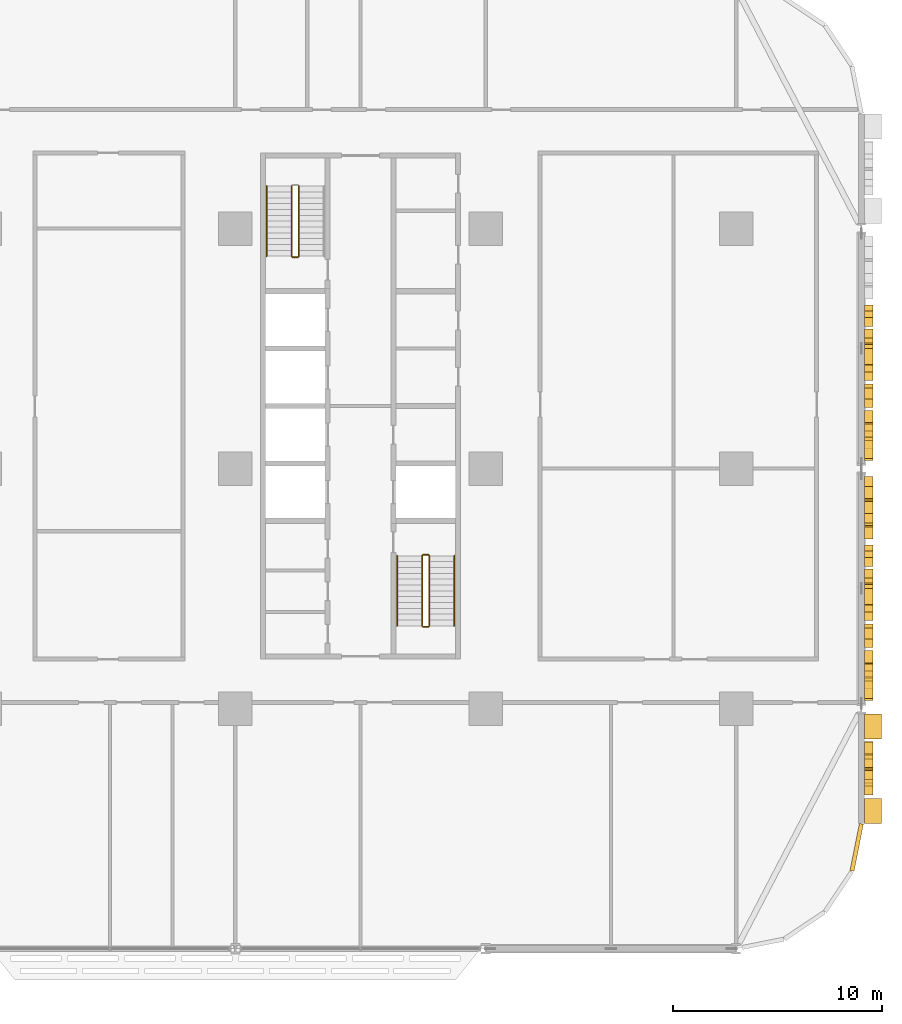
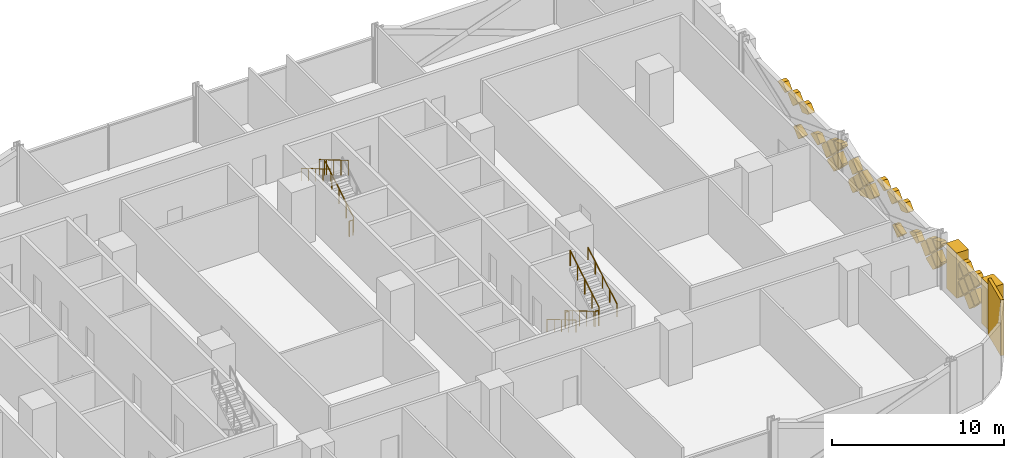
# One storey, part 27 of 29: 37 coverings, 10 railings.
"""IFC4 building model written with IfcOpenShell, lengths in metres."""

from ifc_helpers import new_model, si_unit, direction, frame, origin, origin_2d, place, context, subcontext, project, spatial, polyline, rectangle, circle, outline, extrude, material, layer, layer_set, type_object, element, save


model = new_model("IFC4")

# Units and contexts
model_context = context("Model", 3, precision=1e-05, world=origin(), true_north=direction((0.0, 1.0)))
body_context = subcontext(model_context, "Body", "Model", "MODEL_VIEW")
ifc_project = project(units=[si_unit("LENGTHUNIT", "METRE"), si_unit("AREAUNIT", "SQUARE_METRE"), si_unit("VOLUMEUNIT", "CUBIC_METRE"), si_unit("PLANEANGLEUNIT", "RADIAN"), si_unit("MASSUNIT", "GRAM", prefix="KILO")], contexts=[model_context])

# Site, building, storey
site_placement = place(None, origin())
site = spatial("IfcSite", under=ifc_project, at=site_placement, CompositionType="ELEMENT")
building_placement = place(site_placement, origin())
building = spatial("IfcBuilding", under=site, at=building_placement, Name="Mahtab Terrace Research Tower", CompositionType="ELEMENT")
storey_placement = place(building_placement, frame((0.0, 0.0, 20.10009765625)))
storey = spatial("IfcBuildingStorey", under=building, at=storey_placement, Name="L04", CompositionType="ELEMENT", Elevation=20.10009765625)

# Coverings
ifc_material_1 = material(Name="Black aluminium cladding panel", Category="aluminium")
ifc_layer_1 = layer(ifc_material_1, 0.199951171875)
ifc_layer_set_1 = layer_set([ifc_layer_1], Name="Black metal corner cladding 200")
covering_type_1 = type_object("IfcCoveringType", Name="Black metal corner cladding 200", PredefinedType="CLADDING", material=ifc_layer_set_1)
covering_1_placement = place(storey_placement, frame((47.771484375, -18.14794921875, 0.0), z_axis=(0.0, 0.0, 1.0), x_axis=(0.195212442692, 0.980760981187, 0.0)))
element("IfcCovering", 1, at=covering_1_placement, inside=storey, type_object=covering_type_1, Name="Corner cladding L04 32", PredefinedType="CLADDING", context=body_context, shape_type="SweptSolid", body=[
    extrude(rectangle(XDim=2.30126953125, YDim=0.199951171875, at=origin_2d()), origin(), (0.0, 0.0, 1.0), 3.9599609375),
])
ifc_material_2 = material(Name="Bronze anodised aluminium", Category="aluminium")
ifc_layer_2 = layer(ifc_material_2, 0.39990234375)
ifc_layer_set_2 = layer_set([ifc_layer_2], Name="Mashrabiya relief panel 400")
covering_type_2 = type_object("IfcCoveringType", Name="Mashrabiya relief panel 400", PredefinedType="CLADDING", material=ifc_layer_set_2)
covering_2_placement = place(storey_placement, frame((48.14990234375, -15.050048828125, 1.929931640625), z_axis=(-1.0, 0.0, 0.0), x_axis=(0.0, 0.707106781187, -0.707106781187)))
element("IfcCovering", 2, at=covering_2_placement, inside=storey, type_object=covering_type_2, Name="Mashrabiya lattice cell L04 E33.1", PredefinedType="CLADDING", context=body_context, shape_type="SweptSolid", body=[
    extrude(outline(polyline([(0.0, 0.0), (0.8203543516109556, 0.0), (0.820181718119455, 0.820181718119455), (0.0001726334915006511, 0.820181718119455), (0.0, 0.0)])), origin(), (0.0, 0.0, -1.0), 0.39990234375),
])
covering_3_placement = place(storey_placement, frame((48.14990234375, -14.469970703125, 2.64990234375), z_axis=(-1.0, 0.0, 0.0), x_axis=(0.0, -0.707106781187, -0.707106781187)))
element("IfcCovering", 3, at=covering_3_placement, inside=storey, type_object=covering_type_2, Name="Mashrabiya lattice cell L04 E33.2", PredefinedType="CLADDING", context=body_context, shape_type="SweptSolid", body=[
    extrude(outline(polyline([(0.0, 0.0), (0.8203543516109556, 0.0), (0.820181718119455, 0.820181718119455), (0.22908464322132532, 0.8201817181194548), (0.0, 0.5910970748981296), (0.0, 0.0)])), origin(), (0.0, 0.0, -1.0), 0.39990234375),
])
covering_4_placement = place(storey_placement, frame((48.14990234375, -14.97998046875, 0.699951171875), z_axis=(-1.0, 0.0, 0.0), x_axis=(0.0, 0.707255598772, 0.706957932274)))
element("IfcCovering", 4, at=covering_4_placement, inside=storey, type_object=covering_type_2, Name="Mashrabiya lattice cell L04 E33.3", PredefinedType="CLADDING", context=body_context, shape_type="SweptSolid", body=[
    extrude(outline(polyline([(0.0, 0.0), (0.8201817362875763, 0.0), (0.8203543334390104, 0.8200090664636573), (0.02140655247189338, 0.8201772305935178), (0.0001681641298604819, 0.798947780967117), (0.0, 0.0)])), origin(), (0.0, 0.0, -1.0), 0.39990234375),
])
covering_5_placement = place(storey_placement, frame((48.14990234375, -14.39990234375, 2.579833984375), z_axis=(-1.0, 0.0, 0.0), x_axis=(0.0, 0.707106781187, -0.707106781187)))
element("IfcCovering", 5, at=covering_5_placement, inside=storey, type_object=covering_type_2, Name="Mashrabiya lattice cell L04 E33.4", PredefinedType="CLADDING", context=body_context, shape_type="SweptSolid", body=[
    extrude(outline(polyline([(0.0, 0.0), (0.8200090846279543, 0.0), (0.820181718119455, 0.820181718119455), (-0.0001726334915006511, 0.820181718119455), (0.0, 0.0)])), origin(), (0.0, 0.0, -1.0), 0.39990234375),
])
covering_6_placement = place(storey_placement, frame((48.14990234375, -13.75, 1.929931640625), z_axis=(-1.0, 0.0, 0.0), x_axis=(0.0, 0.707106781187, -0.707106781187)))
element("IfcCovering", 6, at=covering_6_placement, inside=storey, type_object=covering_type_2, Name="Mashrabiya lattice cell L04 E33.5", PredefinedType="CLADDING", context=body_context, shape_type="SweptSolid", body=[
    extrude(outline(polyline([(0.0, 0.0), (0.8203543516109556, 0.0), (0.820181718119455, 0.820181718119455), (0.0, 0.8203543516109556), (0.0, 0.0)])), origin(), (0.0, 0.0, -1.0), 0.39990234375),
])
covering_7_placement = place(storey_placement, frame((48.14990234375, -13.169921875, 2.64990234375), z_axis=(-1.0, 0.0, 0.0), x_axis=(0.0, -0.707106781187, -0.707106781187)))
element("IfcCovering", 7, at=covering_7_placement, inside=storey, type_object=covering_type_2, Name="Mashrabiya lattice cell L04 E33.6", PredefinedType="CLADDING", context=body_context, shape_type="SweptSolid", body=[
    extrude(outline(polyline([(0.0, 0.0), (0.8203543516109556, 0.0), (0.8203543516109556, 0.8203543516109556), (0.22925727671282597, 0.8203543516109555), (0.0, 0.5910970748981296), (0.0, 0.0)])), origin(), (0.0, 0.0, -1.0), 0.39990234375),
])
covering_8_placement = place(storey_placement, frame((48.14990234375, -13.679931640625, 0.699951171875), z_axis=(-1.0, 0.0, 0.0), x_axis=(0.0, 0.707106781187, 0.707106781187)))
element("IfcCovering", 8, at=covering_8_placement, inside=storey, type_object=covering_type_2, Name="Mashrabiya lattice cell L04 E33.7", PredefinedType="CLADDING", context=body_context, shape_type="SweptSolid", body=[
    extrude(outline(polyline([(0.0, 0.0), (0.8200090846279543, 0.0), (0.820181718119455, 0.02261498738658152), (0.021233919454576533, 0.820181718119455), (0.0, 0.7989477986648784), (0.0, 0.0)])), origin(), (0.0, 0.0, -1.0), 0.39990234375),
])
covering_9_placement = place(storey_placement, frame((48.14990234375, -13.10009765625, 1.419921875), z_axis=(-1.0, 0.0, 0.0), x_axis=(0.0, -0.706957932274, 0.707255598772)))
element("IfcCovering", 9, at=covering_9_placement, inside=storey, type_object=covering_type_2, Name="Mashrabiya lattice cell L04 E33.8", PredefinedType="CLADDING", context=body_context, shape_type="SweptSolid", body=[
    extrude(outline(polyline([(0.0, 0.0), (0.8201817362875763, 0.0), (0.8203543334390104, 0.8200090664636573), (0.7977393828896235, 0.8201864599990892), (-0.00016787343992121818, 0.022615023221871693), (0.0, 0.0)])), origin(), (0.0, 0.0, -1.0), 0.39990234375),
])
covering_10_placement = place(storey_placement, frame((48.14990234375, -10.60107421875, 1.929931640625), z_axis=(-1.0, 0.0, 0.0), x_axis=(0.0, 0.707106781187, -0.707106781187)))
element("IfcCovering", 10, at=covering_10_placement, inside=storey, type_object=covering_type_2, Name="Mashrabiya lattice cell L04 E34.1", PredefinedType="CLADDING", context=body_context, shape_type="SweptSolid", body=[
    extrude(outline(polyline([(0.0, 0.0), (0.8203543516109556, 0.0), (0.820181718119455, 0.820181718119455), (0.0920136509698315, 0.820181718119455), (0.0001726334915005956, 0.728340700641124), (0.0, 0.0)])), origin(), (0.0, 0.0, -1.0), 0.39990234375),
])
covering_11_placement = place(storey_placement, frame((48.14990234375, -10.60107421875, 2.06982421875), z_axis=(-1.0, 0.0, 0.0), x_axis=(0.0, -0.706939160764, 0.707274361884)))
element("IfcCovering", 11, at=covering_11_placement, inside=storey, type_object=covering_type_2, Name="Mashrabiya lattice cell L04 E34.2", PredefinedType="CLADDING", context=body_context, shape_type="SweptSolid", body=[
    extrude(outline(polyline([(0.0, 0.0), (0.728340721100177, 5.551115123125783e-17), (0.8202035044307674, 0.09181924646645268), (0.8204123504406912, 0.24459984123479744), (0.00014648681730550228, 0.618027882211855), (0.0, 0.0)])), origin(), (0.0, 0.0, -1.0), 0.39990234375),
])
covering_12_placement = place(storey_placement, frame((48.14990234375, -10.531005859375, 0.699951171875), z_axis=(-1.0, 0.0, 0.0), x_axis=(0.0, 0.707255598772, 0.706957932274)))
element("IfcCovering", 12, at=covering_12_placement, inside=storey, type_object=covering_type_2, Name="Mashrabiya lattice cell L04 E34.3", PredefinedType="CLADDING", context=body_context, shape_type="SweptSolid", body=[
    extrude(outline(polyline([(0.0, 0.0), (0.8201817362875763, 0.0), (0.8203543334390104, 0.8200090664636573), (0.7129763041041904, 0.8200316676064345), (0.00010421234322383066, 0.49511284265637245), (0.0, 0.0)])), origin(), (0.0, 0.0, -1.0), 0.39990234375),
])
covering_13_placement = place(storey_placement, frame((48.14990234375, -9.37109375, 2.0), z_axis=(-1.0, 0.0, 0.0), x_axis=(0.0, -0.706957932274, -0.707255598772)))
element("IfcCovering", 13, at=covering_13_placement, inside=storey, type_object=covering_type_2, Name="Mashrabiya lattice cell L04 E34.4", PredefinedType="CLADDING", context=body_context, shape_type="SweptSolid", body=[
    extrude(outline(polyline([(0.0, 0.0), (0.8201817362875763, 0.0), (0.8200090664636573, 0.8203543334390104), (0.15675120681031596, 0.8202147295956821), (-0.00010028802904385459, 0.4764684259873041), (0.0, 0.0)])), origin(), (0.0, 0.0, -1.0), 0.39990234375),
])
covering_14_placement = place(storey_placement, frame((48.14990234375, -9.301025390625, 1.929931640625), z_axis=(-1.0, 0.0, 0.0), x_axis=(0.0, 0.707106781187, -0.707106781187)))
element("IfcCovering", 14, at=covering_14_placement, inside=storey, type_object=covering_type_2, Name="Mashrabiya lattice cell L04 E34.5", PredefinedType="CLADDING", context=body_context, shape_type="SweptSolid", body=[
    extrude(outline(polyline([(0.0, 0.0), (0.8203543516109556, 0.0), (0.820181718119455, 0.820181718119455), (0.0, 0.8203543516109556), (0.0, 0.0)])), origin(), (0.0, 0.0, -1.0), 0.39990234375),
])
covering_15_placement = place(storey_placement, frame((48.14990234375, -8.5810546875, 1.349853515625), z_axis=(-1.0, 0.0, 0.0), x_axis=(0.0, 0.707106781187, 0.707106781187)))
element("IfcCovering", 15, at=covering_15_placement, inside=storey, type_object=covering_type_2, Name="Mashrabiya lattice cell L04 E34.6", PredefinedType="CLADDING", context=body_context, shape_type="SweptSolid", body=[
    extrude(outline(polyline([(0.0, 0.0), (0.5828106673060998, 0.0), (0.820181718119455, 0.5232521127383852), (0.820181718119455, 0.7877266217173381), (0.0, 0.4143203796014927), (0.0, 0.0)])), origin(), (0.0, 0.0, -1.0), 0.39990234375),
])
covering_16_placement = place(storey_placement, frame((48.14990234375, -7.281005859375, 2.64990234375), z_axis=(-1.0, 0.0, 0.0), x_axis=(0.0, 0.707106781187, 0.707106781187)))
element("IfcCovering", 16, at=covering_16_placement, inside=storey, type_object=covering_type_2, Name="Mashrabiya lattice cell L04 E34.7", PredefinedType="CLADDING", context=body_context, shape_type="SweptSolid", body=[
    extrude(outline(polyline([(0.0, 0.0), (0.5910970748981296, 0.0), (0.8201817181194548, 0.22908464322132532), (0.820181718119455, 0.820181718119455), (0.2998643747365804, 0.8201817181194551), (0.0, 0.1612396810615809), (0.0, 0.0)])), origin(), (0.0, 0.0, -1.0), 0.39990234375),
])
covering_17_placement = place(storey_placement, frame((48.14990234375, -6.5048828125, 0.573974609375), z_axis=(-1.0, 0.0, 0.0), x_axis=(0.0, 0.936378949952, 0.350990686609)))
element("IfcCovering", 17, at=covering_17_placement, inside=storey, type_object=covering_type_2, Name="Mashrabiya lattice cell L04 E34.8", PredefinedType="CLADDING", context=body_context, shape_type="SweptSolid", body=[
    extrude(outline(polyline([(0.0, 0.0), (0.8061723435137438, 0.0), (0.9632086144404626, 0.13682101187408682), (1.0123720818696944, 0.24493994619465853), (0.28508366902724425, 0.5756500148901318), (0.2569648675516253, 0.5651100113615928), (0.0, 0.0)])), origin(), (0.0, 0.0, -1.0), 0.39990234375),
])
covering_18_placement = place(storey_placement, frame((48.14990234375, -5.98095703125, 2.64990234375), z_axis=(-1.0, 0.0, 0.0), x_axis=(0.0, 0.707106781187, 0.707106781187)))
element("IfcCovering", 18, at=covering_18_placement, inside=storey, type_object=covering_type_2, Name="Mashrabiya lattice cell L04 E34.9", PredefinedType="CLADDING", context=body_context, shape_type="SweptSolid", body=[
    extrude(outline(polyline([(0.0, 0.0), (0.5910970748981296, 0.0), (0.8201817181194548, 0.22908464322132532), (0.820181718119455, 0.820181718119455), (0.14984587062253985, 0.8203543516109556), (0.0, 0.7509556880277055), (0.0, 0.0)])), origin(), (0.0, 0.0, -1.0), 0.39990234375),
])
covering_19_placement = place(storey_placement, frame((48.14990234375, -4.680908203125, 2.64990234375), z_axis=(-1.0, 0.0, 0.0), x_axis=(0.0, 0.707106781187, 0.707106781187)))
element("IfcCovering", 19, at=covering_19_placement, inside=storey, type_object=covering_type_2, Name="Mashrabiya lattice cell L04 E34.10", PredefinedType="CLADDING", context=body_context, shape_type="SweptSolid", body=[
    extrude(outline(polyline([(0.0, 0.0), (0.5910970748981296, 0.0), (0.8201817181194548, 0.22908464322132532), (0.820181718119455, 0.6251058727237521), (0.0, 0.25169963060790684), (0.0, 0.0)])), origin(), (0.0, 0.0, -1.0), 0.39990234375),
])
covering_20_placement = place(storey_placement, frame((48.14990234375, -3.381103515625, 1.349853515625), z_axis=(-1.0, 0.0, 0.0), x_axis=(0.0, 0.707106781187, 0.707106781187)))
element("IfcCovering", 20, at=covering_20_placement, inside=storey, type_object=covering_type_2, Name="Mashrabiya lattice cell L04 E34.11", PredefinedType="CLADDING", context=body_context, shape_type="SweptSolid", body=[
    extrude(outline(polyline([(0.0, 0.0), (0.8203543516109556, 0.0), (0.8203543516109556, 0.8203543516109556), (0.13724362574299442, 0.820181718119455), (0.0001726334915006511, 0.5191089089423703), (0.0, 0.0)])), origin(), (0.0, 0.0, -1.0), 0.39990234375),
])
covering_21_placement = place(storey_placement, frame((48.14990234375, -2.15087890625, 1.27978515625), z_axis=(-1.0, 0.0, 0.0), x_axis=(0.0, 0.707106781187, -0.707106781187)))
element("IfcCovering", 21, at=covering_21_placement, inside=storey, type_object=covering_type_2, Name="Mashrabiya lattice cell L04 E34.12", PredefinedType="CLADDING", context=body_context, shape_type="SweptSolid", body=[
    extrude(outline(polyline([(0.0, 0.0), (0.8200090846279543, 0.0), (0.8200090846279544, 0.2644745089789529), (-0.0001726334915005956, 0.6378807510947981), (0.0, 0.0)])), origin(), (0.0, 0.0, -1.0), 0.39990234375),
])
covering_22_placement = place(storey_placement, frame((48.14990234375, -1.571044921875, 2.0), z_axis=(-1.0, 0.0, 0.0), x_axis=(0.0, -0.706957932274, -0.707255598772)))
element("IfcCovering", 22, at=covering_22_placement, inside=storey, type_object=covering_type_2, Name="Mashrabiya lattice cell L04 E34.13", PredefinedType="CLADDING", context=body_context, shape_type="SweptSolid", body=[
    extrude(outline(polyline([(0.0, 0.0), (0.8201817362875763, 0.0), (0.8200120460355347, 0.8061983874495325), (-9.076793353315904e-05, 0.4312384522160455), (0.0, 0.0)])), origin(), (0.0, 0.0, -1.0), 0.39990234375),
])
covering_23_placement = place(storey_placement, frame((48.14990234375, -1.5009765625, 1.929931640625), z_axis=(-1.0, 0.0, 0.0), x_axis=(0.0, 0.707106781187, -0.707106781187)))
element("IfcCovering", 23, at=covering_23_placement, inside=storey, type_object=covering_type_2, Name="Mashrabiya lattice cell L04 E34.14", PredefinedType="CLADDING", context=body_context, shape_type="SweptSolid", body=[
    extrude(outline(polyline([(0.0, 0.0), (0.8203543516109556, 0.0), (0.820181718119455, 0.820181718119455), (0.0, 0.8203543516109556), (0.0, 0.0)])), origin(), (0.0, 0.0, -1.0), 0.39990234375),
])
covering_24_placement = place(storey_placement, frame((48.14990234375, -1.430908203125, 0.699951171875), z_axis=(-1.0, 0.0, 0.0), x_axis=(0.0, 0.707106781187, 0.707106781187)))
element("IfcCovering", 24, at=covering_24_placement, inside=storey, type_object=covering_type_2, Name="Mashrabiya lattice cell L04 E34.15", PredefinedType="CLADDING", context=body_context, shape_type="SweptSolid", body=[
    extrude(outline(polyline([(0.0, 0.0), (0.8200090846279543, 0.0), (0.8201817181194551, 0.660323104989879), (0.660323104989879, 0.8201817181194551), (0.05645115172070336, 0.820181718119455), (-0.0001726334915006511, 0.6972666721710121), (0.0, 0.0)])), origin(), (0.0, 0.0, -1.0), 0.39990234375),
])
covering_25_placement = place(storey_placement, frame((48.14990234375, -0.85107421875, 1.419921875), z_axis=(-1.0, 0.0, 0.0), x_axis=(0.0, -0.706957932274, 0.707255598772)))
element("IfcCovering", 25, at=covering_25_placement, inside=storey, type_object=covering_type_2, Name="Mashrabiya lattice cell L04 E34.16", PredefinedType="CLADDING", context=body_context, shape_type="SweptSolid", body=[
    extrude(outline(polyline([(0.0, 0.0), (0.8201817362875763, 0.0), (0.8203543334390104, 0.8200090664636573), (0.15985860958849407, 0.8201480889271073), (0.00013902246344993374, 0.6604957238505165), (0.0, 0.0)])), origin(), (0.0, 0.0, -1.0), 0.39990234375),
])
covering_26_placement = place(storey_placement, frame((48.14990234375, 0.89892578125, 1.929931640625), z_axis=(-1.0, 0.0, 0.0), x_axis=(0.0, 0.707106781187, -0.707106781187)))
element("IfcCovering", 26, at=covering_26_placement, inside=storey, type_object=covering_type_2, Name="Mashrabiya lattice cell L04 E35.1", PredefinedType="CLADDING", context=body_context, shape_type="SweptSolid", body=[
    extrude(outline(polyline([(0.0, 0.0), (0.8203543516109556, 0.0), (0.820181718119455, 0.820181718119455), (0.0920136509698315, 0.820181718119455), (0.0001726334915005956, 0.728340700641124), (0.0, 0.0)])), origin(), (0.0, 0.0, -1.0), 0.39990234375),
])
covering_27_placement = place(storey_placement, frame((48.14990234375, 0.89892578125, 2.06982421875), z_axis=(-1.0, 0.0, 0.0), x_axis=(0.0, -0.706939160764, 0.707274361884)))
element("IfcCovering", 27, at=covering_27_placement, inside=storey, type_object=covering_type_2, Name="Mashrabiya lattice cell L04 E35.2", PredefinedType="CLADDING", context=body_context, shape_type="SweptSolid", body=[
    extrude(outline(polyline([(0.0, 0.0), (0.728340721100177, 5.551115123125783e-17), (0.8202035044307674, 0.09181924646645268), (0.8204123504406912, 0.24459984123479744), (0.00014648681730550228, 0.618027882211855), (0.0, 0.0)])), origin(), (0.0, 0.0, -1.0), 0.39990234375),
])
covering_28_placement = place(storey_placement, frame((48.14990234375, 0.968994140625, 0.699951171875), z_axis=(-1.0, 0.0, 0.0), x_axis=(0.0, 0.707255598772, 0.706957932274)))
element("IfcCovering", 28, at=covering_28_placement, inside=storey, type_object=covering_type_2, Name="Mashrabiya lattice cell L04 E35.3", PredefinedType="CLADDING", context=body_context, shape_type="SweptSolid", body=[
    extrude(outline(polyline([(0.0, 0.0), (0.8201817362875763, 0.0), (0.8203543334390104, 0.8200090664636573), (0.7129763041041904, 0.8200316676064345), (0.00010421234322383066, 0.49511284265637245), (0.0, 0.0)])), origin(), (0.0, 0.0, -1.0), 0.39990234375),
])
covering_29_placement = place(storey_placement, frame((48.14990234375, 2.12890625, 2.0), z_axis=(-1.0, 0.0, 0.0), x_axis=(0.0, -0.706957932274, -0.707255598772)))
element("IfcCovering", 29, at=covering_29_placement, inside=storey, type_object=covering_type_2, Name="Mashrabiya lattice cell L04 E35.4", PredefinedType="CLADDING", context=body_context, shape_type="SweptSolid", body=[
    extrude(outline(polyline([(0.0, 0.0), (0.8201817362875763, 0.0), (0.8200090664636573, 0.8203543334390104), (0.15675120681031596, 0.8202147295956821), (-0.00010028802904385459, 0.4764684259873041), (0.0, 0.0)])), origin(), (0.0, 0.0, -1.0), 0.39990234375),
])
covering_30_placement = place(storey_placement, frame((48.14990234375, 2.198974609375, 1.929931640625), z_axis=(-1.0, 0.0, 0.0), x_axis=(0.0, 0.707106781187, -0.707106781187)))
element("IfcCovering", 30, at=covering_30_placement, inside=storey, type_object=covering_type_2, Name="Mashrabiya lattice cell L04 E35.5", PredefinedType="CLADDING", context=body_context, shape_type="SweptSolid", body=[
    extrude(outline(polyline([(0.0, 0.0), (0.8203543516109556, 0.0), (0.820181718119455, 0.820181718119455), (0.0, 0.8203543516109556), (0.0, 0.0)])), origin(), (0.0, 0.0, -1.0), 0.39990234375),
])
covering_31_placement = place(storey_placement, frame((48.14990234375, 2.9189453125, 1.349853515625), z_axis=(-1.0, 0.0, 0.0), x_axis=(0.0, 0.707106781187, 0.707106781187)))
element("IfcCovering", 31, at=covering_31_placement, inside=storey, type_object=covering_type_2, Name="Mashrabiya lattice cell L04 E35.6", PredefinedType="CLADDING", context=body_context, shape_type="SweptSolid", body=[
    extrude(outline(polyline([(0.0, 0.0), (0.5828106673060998, 0.0), (0.820181718119455, 0.5232521127383852), (0.820181718119455, 0.7877266217173381), (0.0, 0.4143203796014927), (0.0, 0.0)])), origin(), (0.0, 0.0, -1.0), 0.39990234375),
])
covering_32_placement = place(storey_placement, frame((48.14990234375, 4.218994140625, 2.64990234375), z_axis=(-1.0, 0.0, 0.0), x_axis=(0.0, 0.707106781187, 0.707106781187)))
element("IfcCovering", 32, at=covering_32_placement, inside=storey, type_object=covering_type_2, Name="Mashrabiya lattice cell L04 E35.7", PredefinedType="CLADDING", context=body_context, shape_type="SweptSolid", body=[
    extrude(outline(polyline([(0.0, 0.0), (0.5910970748981296, 0.0), (0.8201817181194548, 0.22908464322132532), (0.820181718119455, 0.820181718119455), (0.2998643747365804, 0.8201817181194551), (0.0, 0.1612396810615809), (0.0, 0.0)])), origin(), (0.0, 0.0, -1.0), 0.39990234375),
])
covering_33_placement = place(storey_placement, frame((48.14990234375, 4.9951171875, 0.573974609375), z_axis=(-1.0, 0.0, 0.0), x_axis=(0.0, 0.936378949952, 0.350990686609)))
element("IfcCovering", 33, at=covering_33_placement, inside=storey, type_object=covering_type_2, Name="Mashrabiya lattice cell L04 E35.8", PredefinedType="CLADDING", context=body_context, shape_type="SweptSolid", body=[
    extrude(outline(polyline([(0.0, 0.0), (0.8061723435137438, 0.0), (0.9632086144404626, 0.13682101187408682), (1.0123720818696944, 0.24493994619465853), (0.28508366902724425, 0.5756500148901318), (0.2569648675516253, 0.5651100113615928), (0.0, 0.0)])), origin(), (0.0, 0.0, -1.0), 0.39990234375),
])
covering_34_placement = place(storey_placement, frame((48.14990234375, 5.51904296875, 2.64990234375), z_axis=(-1.0, 0.0, 0.0), x_axis=(0.0, 0.707106781187, 0.707106781187)))
element("IfcCovering", 34, at=covering_34_placement, inside=storey, type_object=covering_type_2, Name="Mashrabiya lattice cell L04 E35.9", PredefinedType="CLADDING", context=body_context, shape_type="SweptSolid", body=[
    extrude(outline(polyline([(0.0, 0.0), (0.5910970748981296, 0.0), (0.8201817181194548, 0.22908464322132532), (0.820181718119455, 0.820181718119455), (0.14984587062253985, 0.8203543516109556), (0.0, 0.7509556880277055), (0.0, 0.0)])), origin(), (0.0, 0.0, -1.0), 0.39990234375),
])
covering_35_placement = place(storey_placement, frame((48.14990234375, 6.819091796875, 2.64990234375), z_axis=(-1.0, 0.0, 0.0), x_axis=(0.0, 0.707106781187, 0.707106781187)))
element("IfcCovering", 35, at=covering_35_placement, inside=storey, type_object=covering_type_2, Name="Mashrabiya lattice cell L04 E35.10", PredefinedType="CLADDING", context=body_context, shape_type="SweptSolid", body=[
    extrude(outline(polyline([(0.0, 0.0), (0.5910970748981296, 0.0), (0.8201817181194548, 0.22908464322132532), (0.820181718119455, 0.6251058727237521), (0.0, 0.25169963060790684), (0.0, 0.0)])), origin(), (0.0, 0.0, -1.0), 0.39990234375),
])
ifc_material_3 = material(Name="Glazed ceramic tile cladding", Category="masonry")
ifc_layer_3 = layer(ifc_material_3, 0.800048828125)
ifc_layer_set_3 = layer_set([ifc_layer_3], Name="Pishtaq frame pier 800")
covering_type_3 = type_object("IfcCoveringType", Name="Pishtaq frame pier 800", PredefinedType="CLADDING", material=ifc_layer_set_3)
for number, where, z_axis, x_axis, name in (
    (36, (48.550048828125, -16.39990234375, 0.00048828125), (0.0, 0.0, 1.0), (0.0, 1.0, 0.0), "Pishtaq frame pier 33a"),
    (37, (48.550048828125, -12.34912109375, 0.00048828125), (0.0, 0.0, 1.0), (0.0, 1.0, 0.0), "Pishtaq frame pier 33b"),
):
    element("IfcCovering", number, at=place(storey_placement, frame(where, z_axis=z_axis, x_axis=x_axis)), inside=storey, type_object=covering_type_3, Name=name, PredefinedType="CLADDING", context=body_context, shape_type="SweptSolid", body=[
        extrude(rectangle(XDim=1.199951171875, YDim=0.800048828125, at=origin_2d()), origin(), (0.0, 0.0, 1.0), 3.202880859375),
    ])

# Railings
ifc_material_4 = material(Name="Stainless steel AISI 304", Category="steel")
railing_type_1 = type_object("IfcRailingType", Name="Stair guard 1100", PredefinedType="GUARDRAIL", material=ifc_material_4)
railing_1_placement = place(storey_placement, frame((21.050048828125, 10.175048828125, 0.165283203125)))
element("IfcRailing", 38, at=railing_1_placement, inside=storey, type_object=railing_type_1, Name="L04 ST3 stair guard 1", PredefinedType="GUARDRAIL", context=body_context, shape_type="SweptSolid", body=[
    extrude(circle(Radius=0.02392578125, at=origin_2d()), frame((0.0, 0.0, 1.076171875), z_axis=(0.0, 0.861011212953, 0.508585972249), x_axis=(-1.0, 0.0, 0.0)), (0.0, 0.0, 1.0), 3.90234375),
    extrude(circle(Radius=0.02099609375, at=origin_2d()), origin(), (0.0, 0.0, 1.0), 1.052001953125),
    extrude(circle(Radius=0.02099609375, at=origin_2d()), frame((0.0, 0.83984375, 0.49609375)), (0.0, 0.0, 1.0), 1.052001953125),
    extrude(circle(Radius=0.02099609375, at=origin_2d()), frame((0.0, 1.679931640625, 0.9921875)), (0.0, 0.0, 1.0), 1.052001953125),
    extrude(circle(Radius=0.02099609375, at=origin_2d()), frame((0.0, 2.52001953125, 1.488525390625)), (0.0, 0.0, 1.0), 1.052001953125),
    extrude(circle(Radius=0.02099609375, at=origin_2d()), frame((0.0, 3.35986328125, 1.984619140625)), (0.0, 0.0, 1.0), 1.052001953125),
])
railing_2_placement = place(storey_placement, frame((20.699951171875, 13.534912109375, 2.315185546875)))
element("IfcRailing", 39, at=railing_2_placement, inside=storey, type_object=railing_type_1, Name="L04 ST3 stair guard 3", PredefinedType="GUARDRAIL", context=body_context, shape_type="SweptSolid", body=[
    extrude(circle(Radius=0.02392578125, at=origin_2d()), frame((0.0, 0.0, 1.076171875), z_axis=(0.0, -0.861011212953, 0.508585972249), x_axis=(1.0, 0.0, 0.0)), (0.0, 0.0, 1.0), 3.90234375),
    extrude(circle(Radius=0.02099609375, at=origin_2d()), origin(), (0.0, 0.0, 1.0), 1.052001953125),
    extrude(circle(Radius=0.02099609375, at=origin_2d()), frame((0.0, -0.83984375, 0.49609375)), (0.0, 0.0, 1.0), 1.052001953125),
    extrude(circle(Radius=0.02099609375, at=origin_2d()), frame((0.0, -1.679931640625, 0.9921875)), (0.0, 0.0, 1.0), 1.052001953125),
    extrude(circle(Radius=0.02099609375, at=origin_2d()), frame((0.0, -2.52001953125, 1.488525390625)), (0.0, 0.0, 1.0), 1.052001953125),
    extrude(circle(Radius=0.02099609375, at=origin_2d()), frame((0.0, -3.35986328125, 1.984619140625)), (0.0, 0.0, 1.0), 1.052001953125),
])
railing_3_placement = place(storey_placement, frame((21.0, 10.125, 0.0)))
element("IfcRailing", 40, at=railing_3_placement, inside=storey, type_object=railing_type_1, Name="L04 ST3 stair guard 4", PredefinedType="GUARDRAIL", context=body_context, shape_type="SweptSolid", body=[
    extrude(circle(Radius=0.02392578125, at=origin_2d()), frame((0.0, 0.0, 1.076171875), z_axis=(-1.0, 0.0, 0.0), x_axis=(0.0, -1.0, 0.0)), (0.0, 0.0, 1.0), 0.25),
    extrude(circle(Radius=0.02099609375, at=origin_2d()), origin(), (0.0, 0.0, 1.0), 1.052001953125),
    extrude(circle(Radius=0.02099609375, at=origin_2d()), frame((-0.25, 0.0, 0.0)), (0.0, 0.0, 1.0), 1.052001953125),
])
railing_4_placement = place(storey_placement, frame((26.949951171875, -4.175048828125, 0.165283203125)))
element("IfcRailing", 41, at=railing_4_placement, inside=storey, type_object=railing_type_1, Name="L04 ST4 stair guard 1", PredefinedType="GUARDRAIL", context=body_context, shape_type="SweptSolid", body=[
    extrude(circle(Radius=0.02392578125, at=origin_2d()), frame((0.0, 0.0, 1.076171875), z_axis=(0.0, -0.861011212953, 0.508585972249), x_axis=(1.0, 0.0, 0.0)), (0.0, 0.0, 1.0), 3.90234375),
    extrude(circle(Radius=0.02099609375, at=origin_2d()), origin(), (0.0, 0.0, 1.0), 1.052001953125),
    extrude(circle(Radius=0.02099609375, at=origin_2d()), frame((0.0, -0.83984375, 0.49609375)), (0.0, 0.0, 1.0), 1.052001953125),
    extrude(circle(Radius=0.02099609375, at=origin_2d()), frame((0.0, -1.679931640625, 0.9921875)), (0.0, 0.0, 1.0), 1.052001953125),
    extrude(circle(Radius=0.02099609375, at=origin_2d()), frame((0.0, -2.52001953125, 1.488525390625)), (0.0, 0.0, 1.0), 1.052001953125),
    extrude(circle(Radius=0.02099609375, at=origin_2d()), frame((0.0, -3.35986328125, 1.984619140625)), (0.0, 0.0, 1.0), 1.052001953125),
])
railing_5_placement = place(storey_placement, frame((27.0, -7.5849609375, 2.14990234375)))
element("IfcRailing", 42, at=railing_5_placement, inside=storey, type_object=railing_type_1, Name="L04 ST4 stair guard 2", PredefinedType="GUARDRAIL", context=body_context, shape_type="SweptSolid", body=[
    extrude(circle(Radius=0.02392578125, at=origin_2d()), frame((0.0, 0.0, 1.076171875), z_axis=(1.0, 0.0, 0.0), x_axis=(0.0, 1.0, 0.0)), (0.0, 0.0, 1.0), 0.25),
    extrude(circle(Radius=0.02099609375, at=origin_2d()), origin(), (0.0, 0.0, 1.0), 1.052001953125),
    extrude(circle(Radius=0.02099609375, at=origin_2d()), frame((0.25, 0.0, 0.0)), (0.0, 0.0, 1.0), 1.052001953125),
])
railing_6_placement = place(storey_placement, frame((27.300048828125, -7.534912109375, 2.315185546875)))
element("IfcRailing", 43, at=railing_6_placement, inside=storey, type_object=railing_type_1, Name="L04 ST4 stair guard 3", PredefinedType="GUARDRAIL", context=body_context, shape_type="SweptSolid", body=[
    extrude(circle(Radius=0.02392578125, at=origin_2d()), frame((0.0, 0.0, 1.076171875), z_axis=(0.0, 0.861011212953, 0.508585972249), x_axis=(-1.0, 0.0, 0.0)), (0.0, 0.0, 1.0), 3.90234375),
    extrude(circle(Radius=0.02099609375, at=origin_2d()), origin(), (0.0, 0.0, 1.0), 1.052001953125),
    extrude(circle(Radius=0.02099609375, at=origin_2d()), frame((0.0, 0.83984375, 0.49609375)), (0.0, 0.0, 1.0), 1.052001953125),
    extrude(circle(Radius=0.02099609375, at=origin_2d()), frame((0.0, 1.679931640625, 0.9921875)), (0.0, 0.0, 1.0), 1.052001953125),
    extrude(circle(Radius=0.02099609375, at=origin_2d()), frame((0.0, 2.52001953125, 1.488525390625)), (0.0, 0.0, 1.0), 1.052001953125),
    extrude(circle(Radius=0.02099609375, at=origin_2d()), frame((0.0, 3.35986328125, 1.984619140625)), (0.0, 0.0, 1.0), 1.052001953125),
])
railing_7_placement = place(storey_placement, frame((27.0, -4.125, 0.0)))
element("IfcRailing", 44, at=railing_7_placement, inside=storey, type_object=railing_type_1, Name="L04 ST4 stair guard 4", PredefinedType="GUARDRAIL", context=body_context, shape_type="SweptSolid", body=[
    extrude(circle(Radius=0.02392578125, at=origin_2d()), frame((0.0, 0.0, 1.076171875), z_axis=(1.0, 0.0, 0.0), x_axis=(0.0, 1.0, 0.0)), (0.0, 0.0, 1.0), 0.25),
    extrude(circle(Radius=0.02099609375, at=origin_2d()), origin(), (0.0, 0.0, 1.0), 1.052001953125),
    extrude(circle(Radius=0.02099609375, at=origin_2d()), frame((0.25, 0.0, 0.0)), (0.0, 0.0, 1.0), 1.052001953125),
])
railing_type_2 = type_object("IfcRailingType", Name="Stair handrail 900", PredefinedType="HANDRAIL", material=ifc_material_4)
for number, where, name in (
    (45, (19.5, 13.534912109375, 2.315185546875), "L04 ST3 stair handrail 2"),
    (46, (25.75, -4.175048828125, 0.165283203125), "L04 ST4 stair handrail 1"),
):
    element("IfcRailing", number, at=place(storey_placement, frame(where)), inside=storey, type_object=railing_type_2, Name=name, PredefinedType="HANDRAIL", context=body_context, shape_type="SweptSolid", body=[
        extrude(circle(Radius=0.02392578125, at=origin_2d()), frame((0.0, 0.0, 0.8759765625), z_axis=(0.0, -0.861011212953, 0.508585972249), x_axis=(1.0, 0.0, 0.0)), (0.0, 0.0, 1.0), 3.90234375),
        extrude(circle(Radius=0.02099609375, at=origin_2d()), origin(), (0.0, 0.0, 1.0), 0.851806640625),
        extrude(circle(Radius=0.02099609375, at=origin_2d()), frame((0.0, -0.83984375, 0.49609375)), (0.0, 0.0, 1.0), 0.851806640625),
        extrude(circle(Radius=0.02099609375, at=origin_2d()), frame((0.0, -1.679931640625, 0.9921875)), (0.0, 0.0, 1.0), 0.851806640625),
        extrude(circle(Radius=0.02099609375, at=origin_2d()), frame((0.0, -2.52001953125, 1.488525390625)), (0.0, 0.0, 1.0), 0.851806640625),
        extrude(circle(Radius=0.02099609375, at=origin_2d()), frame((0.0, -3.35986328125, 1.984619140625)), (0.0, 0.0, 1.0), 0.851806640625),
    ])
railing_8_placement = place(storey_placement, frame((28.5, -7.534912109375, 2.315185546875)))
element("IfcRailing", 47, at=railing_8_placement, inside=storey, type_object=railing_type_2, Name="L04 ST4 stair handrail 2", PredefinedType="HANDRAIL", context=body_context, shape_type="SweptSolid", body=[
    extrude(circle(Radius=0.02392578125, at=origin_2d()), frame((0.0, 0.0, 0.8759765625), z_axis=(0.0, 0.861011212953, 0.508585972249), x_axis=(-1.0, 0.0, 0.0)), (0.0, 0.0, 1.0), 3.90234375),
    extrude(circle(Radius=0.02099609375, at=origin_2d()), origin(), (0.0, 0.0, 1.0), 0.851806640625),
    extrude(circle(Radius=0.02099609375, at=origin_2d()), frame((0.0, 0.83984375, 0.49609375)), (0.0, 0.0, 1.0), 0.851806640625),
    extrude(circle(Radius=0.02099609375, at=origin_2d()), frame((0.0, 1.679931640625, 0.9921875)), (0.0, 0.0, 1.0), 0.851806640625),
    extrude(circle(Radius=0.02099609375, at=origin_2d()), frame((0.0, 2.52001953125, 1.488525390625)), (0.0, 0.0, 1.0), 0.851806640625),
    extrude(circle(Radius=0.02099609375, at=origin_2d()), frame((0.0, 3.35986328125, 1.984619140625)), (0.0, 0.0, 1.0), 0.851806640625),
])

save(model, "model.ifc")
